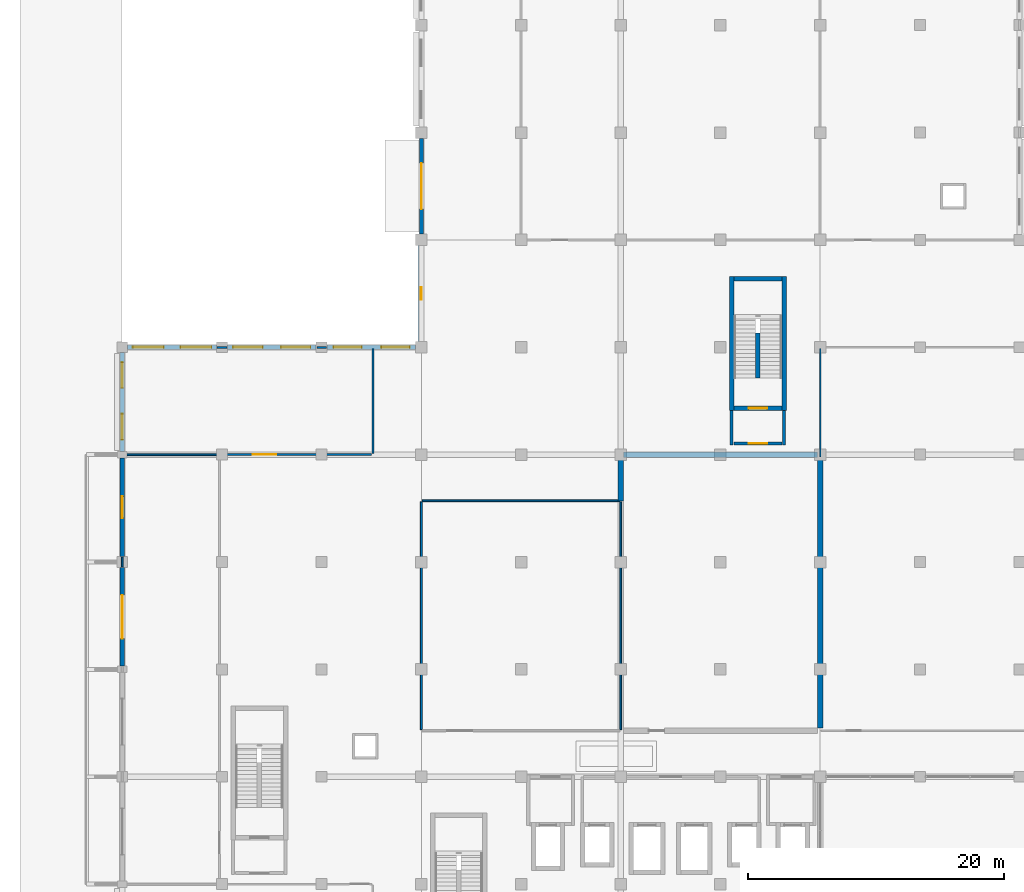
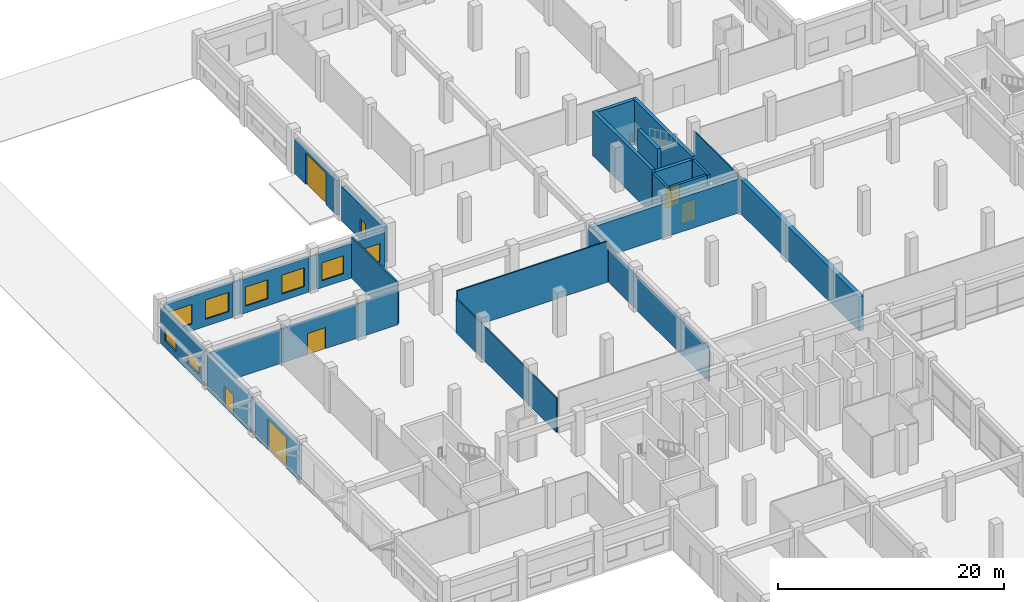
# One storey, part 52 of 74: 29 walls, 9 windows, 6 doors, 15 openings.
"""IFC4 building model written with IfcOpenShell, lengths in metres."""

from ifc_helpers import new_model, si_unit, direction, frame, frame_2d, origin, place, context, subcontext, project, spatial, rectangle, extrude, material, layer, layer_set, type_object, element, fill, save


model = new_model("IFC4")

# Units and contexts
model_context = context("Model", 3, precision=1e-05, world=origin(), true_north=direction((0.0, 1.0)))
body_context = subcontext(model_context, "Body", "Model", "MODEL_VIEW")
ifc_project = project(units=[si_unit("LENGTHUNIT", "METRE"), si_unit("AREAUNIT", "SQUARE_METRE"), si_unit("VOLUMEUNIT", "CUBIC_METRE"), si_unit("PLANEANGLEUNIT", "RADIAN"), si_unit("MASSUNIT", "GRAM", prefix="KILO"), si_unit("THERMODYNAMICTEMPERATUREUNIT", "KELVIN"), si_unit("POWERUNIT", "WATT")], contexts=[model_context])

# Site, building, storey
site_placement = place(None, origin())
site = spatial("IfcSite", under=ifc_project, at=site_placement, CompositionType="ELEMENT")
building_placement = place(site_placement, origin())
building = spatial("IfcBuilding", under=site, at=building_placement, Name="Srebrne Nadtorze General Hospital", CompositionType="ELEMENT")
storey_placement = place(building_placement, origin())
storey = spatial("IfcBuildingStorey", under=building, at=storey_placement, Name="L00", CompositionType="ELEMENT", Elevation=0.0)

# Wall, opening, window
ifc_material_1 = material(Name="Concrete C40/50", Category="concrete")
ifc_layer_1 = layer(ifc_material_1, 0.419921875)
ifc_layer_set_1 = layer_set([ifc_layer_1], Name="Concrete C40/50")
wall_type_1 = type_object("IfcWallType", Name="Acoustic buffer wall 420", PredefinedType="SOLIDWALL", material=ifc_layer_set_1)
wall_1_placement = place(storey_placement, frame((23.39990234375, 84.449951171875, 0.0), z_axis=(0.0, 0.0, 1.0), x_axis=(0.0, 1.0, 0.0)))
wall_1 = element("IfcWall", 1, at=wall_1_placement, inside=storey, type_object=wall_type_1, Name="Exterior wall WL-ENV-L00-0129", PredefinedType="SOLIDWALL", context=body_context, shape_type="SweptSolid", body=[
    extrude(rectangle(XDim=7.5, YDim=0.419921875, at=frame_2d((3.75, 0.0))), origin(), (0.0, 0.0, 1.0), 3.75),
])
opening_1_placement = place(wall_1_placement, frame((3.25, 0.0, 0.75)))
opening_1 = element("IfcOpeningElement", 2, at=opening_1_placement, cuts=wall_1, Name="Opening WN-L00-0081", PredefinedType="OPENING", context=body_context, shape_type="SweptSolid", body=[
    extrude(rectangle(XDim=1.0, YDim=1.449951171875, at=frame_2d((0.5, 0.72509765625))), frame((0.0, 0.221923828125, 0.0), z_axis=(0.0, -1.0, 0.0), x_axis=(1.0, 0.0, 0.0)), (0.0, 0.0, 1.0), 0.44384765625),
])
ifc_material_2 = material(Name="Triple Low-E Glazing", Category="glass")
window_type_1 = type_object("IfcWindowType", Name="Punched clinical window 1000x1450", PartitioningType="SINGLE_PANEL", PredefinedType="WINDOW", material=ifc_material_2)
window_1_placement = place(opening_1_placement, origin())
window_1 = element("IfcWindow", 3, at=window_1_placement, inside=storey, type_object=window_type_1, Name="Clinical window WN-L00-0081", OverallHeight=1.449951171875, OverallWidth=1.0, PartitioningType="SINGLE_PANEL", PredefinedType="WINDOW", context=body_context, shape_type="SweptSolid", body=[
    extrude(rectangle(XDim=1.0, YDim=1.449951171875, at=frame_2d((0.5, 0.72509765625))), frame((0.0, 0.030029296875, 0.0), z_axis=(0.0, -1.0, 0.0), x_axis=(1.0, 0.0, 0.0)), (0.0, 0.0, 1.0), 0.06005859375),
])
fill(opening_1, window_1)

# Walls
ifc_material_3 = material(Name="Gypsum Healthcare Partition")
ifc_layer_2 = layer(ifc_material_3, 0.139892578125)
ifc_layer_set_2 = layer_set([ifc_layer_2], Name="Gypsum Healthcare Partition")
wall_type_2 = type_object("IfcWallType", Name="Clinical partition 140", PredefinedType="PARTITIONING", material=ifc_layer_set_2)
wall_2_placement = place(storey_placement, frame((0.0849609375, 75.60009765625, 0.0), z_axis=(0.0, 0.0, 1.0), x_axis=(1.0, 0.0, 0.0)))
element("IfcWall", 4, at=wall_2_placement, inside=storey, type_object=wall_type_2, Name="Ambulance Bay wall WL-INT-L00-1301", PredefinedType="PARTITIONING", context=body_context, shape_type="SweptSolid", body=[
    extrude(rectangle(XDim=7.429931640625, YDim=0.139892578125, at=frame_2d((3.71484375, 0.0))), origin(), (0.0, 0.0, 1.0), 3.699951171875),
])
wall_3_placement = place(storey_placement, frame((0.0, 66.81494140625, 0.0), z_axis=(0.0, 0.0, 1.0), x_axis=(0.0, 1.0, 0.0)))
element("IfcWall", 5, at=wall_3_placement, inside=storey, type_object=wall_type_2, Name="Ambulance Bay wall WL-INT-L00-1304", PredefinedType="PARTITIONING", context=body_context, shape_type="SweptSolid", body=[
    extrude(rectangle(XDim=0.77001953125, YDim=0.139892578125, at=frame_2d((0.385009765625, 0.0))), origin(), (0.0, 0.0, 1.0), 3.699951171875),
])
wall_4_placement = place(storey_placement, frame((23.485107421875, 72.0, 0.0), z_axis=(0.0, 0.0, 1.0), x_axis=(1.0, 0.0, 0.0)))
element("IfcWall", 6, at=wall_4_placement, inside=storey, type_object=wall_type_2, Name="Emergency Department Observation wall WL-INT-L00-1314", PredefinedType="PARTITIONING", context=body_context, shape_type="SweptSolid", body=[
    extrude(rectangle(XDim=15.429931640625, YDim=0.139892578125, at=frame_2d((7.71484375, 0.0))), origin(), (0.0, 0.0, 1.0), 4.429931640625),
])
for number, where, z_axis, x_axis, name in (
    (7, (23.39990234375, 54.0849609375, 0.0), (0.0, 0.0, 1.0), (0.0, 1.0, 0.0), "Emergency Department Observation wall WL-INT-L00-1315"),
    (8, (39.0, 54.0849609375, 0.0), (0.0, 0.0, 1.0), (0.0, 1.0, 0.0), "Emergency Department Observation wall WL-INT-L00-1316"),
):
    element("IfcWall", number, at=place(storey_placement, frame(where, z_axis=z_axis, x_axis=x_axis)), inside=storey, type_object=wall_type_2, Name=name, PredefinedType="PARTITIONING", context=body_context, shape_type="SweptSolid", body=[
        extrude(rectangle(XDim=17.830078125, YDim=0.139892578125, at=frame_2d((8.9150390625, 0.0))), origin(), (0.0, 0.0, 1.0), 3.699951171875),
    ])

# Wall, opening, door
ifc_material_4 = material(Name="Gypsum Healthcare Partition")
ifc_layer_3 = layer(ifc_material_4, 0.159912109375)
ifc_layer_set_3 = layer_set([ifc_layer_3], Name="Gypsum Healthcare Partition")
wall_type_3 = type_object("IfcWallType", Name="Clinical partition 160", PredefinedType="PARTITIONING", material=ifc_layer_set_3)
wall_5_placement = place(storey_placement, frame((7.554931640625, 75.60009765625, 0.0), z_axis=(0.0, 0.0, 1.0), x_axis=(1.0, 0.0, 0.0)))
wall_5 = element("IfcWall", 9, at=wall_5_placement, inside=storey, type_object=wall_type_3, Name="Emergency Department Resuscitation wall WL-INT-L00-1309", PredefinedType="PARTITIONING", context=body_context, shape_type="SweptSolid", body=[
    extrude(rectangle(XDim=11.9599609375, YDim=0.159912109375, at=frame_2d((5.97998046875, 0.0))), origin(), (0.0, 0.0, 1.0), 3.699951171875),
])
opening_2_placement = place(wall_5_placement, frame((2.652587890625, 0.0, 0.0)))
opening_2 = element("IfcOpeningElement", 10, at=opening_2_placement, cuts=wall_5, Name="Opening D-L00-0193", PredefinedType="OPENING", context=body_context, shape_type="SweptSolid", body=[
    extrude(rectangle(XDim=1.85009765625, YDim=2.300048828125, at=frame_2d((0.925048828125, 1.14990234375))), frame((0.0, 0.091796875, 0.0), z_axis=(0.0, -1.0, 0.0), x_axis=(1.0, 0.0, 0.0)), (0.0, 0.0, 1.0), 0.183837890625),
])
ifc_material_5 = material(Name="Anodised Aluminium", Category="aluminium")
door_type_1 = type_object("IfcDoorType", Name="Double leaf door 1850x2300", OperationType="DOUBLE_DOOR_SINGLE_SWING", PredefinedType="DOOR", material=ifc_material_5)
door_1_placement = place(opening_2_placement, origin())
door_1 = element("IfcDoor", 11, at=door_1_placement, inside=storey, type_object=door_type_1, Name="Emergency Department Resuscitation door D-L00-0193", OperationType="DOUBLE_DOOR_SINGLE_SWING", OverallHeight=2.300048828125, OverallWidth=1.85009765625, PredefinedType="DOOR", context=body_context, shape_type="SweptSolid", body=[
    extrude(rectangle(XDim=1.85009765625, YDim=2.300048828125, at=frame_2d((0.925048828125, 1.14990234375))), frame((0.0, 0.02490234375, 0.0), z_axis=(0.0, -1.0, 0.0), x_axis=(1.0, 0.0, 0.0)), (0.0, 0.0, 1.0), 0.050048828125),
])
fill(opening_2, door_1)

# Walls
for number, where, z_axis, x_axis, name in (
    (12, (7.4150390625, 84.0, 0.0), (0.0, 0.0, 1.0), (1.0, 0.0, 0.0), "Emergency Department Resuscitation wall WL-INT-L00-1310"),
    (13, (15.215087890625, 84.0, 0.0), (0.0, 0.0, 1.0), (1.0, 0.0, 0.0), "Emergency Department Resuscitation wall WL-INT-L00-1311"),
):
    element("IfcWall", number, at=place(storey_placement, frame(where, z_axis=z_axis, x_axis=x_axis)), inside=storey, type_object=wall_type_3, Name=name, PredefinedType="PARTITIONING", context=body_context, shape_type="SweptSolid", body=[
        extrude(rectangle(XDim=0.77001953125, YDim=0.159912109375, at=frame_2d((0.385009765625, 0.0))), origin(), (0.0, 0.0, 1.0), 3.699951171875),
    ])
wall_6_placement = place(storey_placement, frame((19.60009765625, 75.68505859375, 0.0), z_axis=(0.0, 0.0, 1.0), x_axis=(0.0, 1.0, 0.0)))
element("IfcWall", 14, at=wall_6_placement, inside=storey, type_object=wall_type_3, Name="Emergency Department Resuscitation wall WL-INT-L00-1312", PredefinedType="PARTITIONING", context=body_context, shape_type="SweptSolid", body=[
    extrude(rectangle(XDim=8.22998046875, YDim=0.159912109375, at=frame_2d((4.114990234375, 0.0))), origin(), (0.0, 0.0, 1.0), 4.429931640625),
])
ifc_material_6 = material(Name="Gypsum Healthcare Partition")
ifc_layer_4 = layer(ifc_material_6, 0.239990234375)
ifc_layer_set_4 = layer_set([ifc_layer_4], Name="Gypsum Healthcare Partition")
wall_type_4 = type_object("IfcWallType", Name="Corridor fire wall 240", PredefinedType="STANDARD", material=ifc_layer_set_4)
for number, where, z_axis, x_axis, name in (
    (15, (47.675048828125, 76.35498046875, 0.0), (0.0, 0.0, 1.0), (0.0, 1.0, 0.0), "Fire lobby wall ST-02 WL-INT-L00-0077"),
    (16, (51.77490234375, 76.35498046875, 0.0), (0.0, 0.0, 1.0), (0.0, 1.0, 0.0), "Fire lobby wall ST-02 WL-INT-L00-0078"),
):
    element("IfcWall", number, at=place(storey_placement, frame(where, z_axis=z_axis, x_axis=x_axis)), inside=storey, type_object=wall_type_4, Name=name, PredefinedType="STANDARD", context=body_context, shape_type="SweptSolid", body=[
        extrude(rectangle(XDim=2.695068359375, YDim=0.239990234375, at=frame_2d((1.34765625, 0.0))), origin(), (0.0, 0.0, 1.0), 4.449951171875),
    ])

# Wall, opening, door
wall_7_placement = place(storey_placement, frame((47.85009765625, 76.47509765625, 0.0), z_axis=(0.0, 0.0, 1.0), x_axis=(1.0, 0.0, 0.0)))
wall_7 = element("IfcWall", 17, at=wall_7_placement, inside=storey, type_object=wall_type_4, Name="Fire lobby entry wall ST-02 WL-INT-L00-0079", PredefinedType="STANDARD", context=body_context, shape_type="SweptSolid", body=[
    extrude(rectangle(XDim=3.75, YDim=0.239990234375, at=frame_2d((1.875, 0.0))), origin(), (0.0, 0.0, 1.0), 4.449951171875),
])
opening_3_placement = place(wall_7_placement, frame((1.14990234375, 0.0, 0.0)))
opening_3 = element("IfcOpeningElement", 18, at=opening_3_placement, cuts=wall_7, Name="Opening D-L00-0020", PredefinedType="OPENING", context=body_context, shape_type="SweptSolid", body=[
    extrude(rectangle(XDim=1.449951171875, YDim=2.199951171875, at=frame_2d((0.72509765625, 1.10009765625))), frame((0.0, 0.1318359375, 0.0), z_axis=(0.0, -1.0, 0.0), x_axis=(1.0, 0.0, 0.0)), (0.0, 0.0, 1.0), 0.263916015625),
])
ifc_material_7 = material(Name="Anodised Aluminium", Category="aluminium")
door_type_2 = type_object("IfcDoorType", Name="Double leaf door 1450x2200", OperationType="DOUBLE_DOOR_SINGLE_SWING", PredefinedType="DOOR", material=ifc_material_7)
door_2_placement = place(opening_3_placement, frame((1.449951171875, 0.0, 0.0), z_axis=(0.0, 0.0, 1.0), x_axis=(-1.0, 0.0, 0.0)))
door_2 = element("IfcDoor", 19, at=door_2_placement, inside=storey, type_object=door_type_2, Name="Fire lobby door ST-02 D-L00-0020", OperationType="DOUBLE_DOOR_SINGLE_SWING", OverallHeight=2.199951171875, OverallWidth=1.449951171875, PredefinedType="DOOR", context=body_context, shape_type="SweptSolid", body=[
    extrude(rectangle(XDim=1.449951171875, YDim=2.199951171875, at=frame_2d((0.72509765625, 1.10009765625))), frame((0.0, 0.02490234375, 0.0), z_axis=(0.0, -1.0, 0.0), x_axis=(1.0, 0.0, 0.0)), (0.0, 0.0, 1.0), 0.050048828125),
])
fill(opening_3, door_2)

# Walls
ifc_material_8 = material(Name="Concrete C35/45", Category="concrete")
ifc_layer_5 = layer(ifc_material_8, 0.449951171875)
ifc_layer_set_5 = layer_set([ifc_layer_5], Name="Concrete C35/45")
wall_type_5 = type_object("IfcWallType", Name="Radiation shield wall 450", PredefinedType="STANDARD", material=ifc_layer_set_5)
wall_8_placement = place(storey_placement, frame((39.215087890625, 75.60009765625, 0.0), z_axis=(0.0, 0.0, 1.0), x_axis=(1.0, 0.0, 0.0)))
element("IfcWall", 20, at=wall_8_placement, inside=storey, type_object=wall_type_5, Name="Emergency Department Trauma CT wall WL-INT-L00-1318", PredefinedType="STANDARD", context=body_context, shape_type="SweptSolid", body=[
    extrude(rectangle(XDim=15.169921875, YDim=0.449951171875, at=frame_2d((7.5849609375, 0.0))), origin(), (0.0, 0.0, 1.0), 3.699951171875),
])
wall_9_placement = place(storey_placement, frame((39.0, 71.955078125, 0.0), z_axis=(0.0, 0.0, 1.0), x_axis=(0.0, 1.0, 0.0)))
element("IfcWall", 21, at=wall_9_placement, inside=storey, type_object=wall_type_5, Name="Emergency Department Trauma CT wall WL-INT-L00-1319", PredefinedType="STANDARD", context=body_context, shape_type="SweptSolid", body=[
    extrude(rectangle(XDim=3.429931640625, YDim=0.449951171875, at=frame_2d((1.71484375, 0.0))), origin(), (0.0, 0.0, 1.0), 3.699951171875),
])
wall_10_placement = place(storey_placement, frame((54.60009765625, 54.215087890625, 0.0), z_axis=(0.0, 0.0, 1.0), x_axis=(0.0, 1.0, 0.0)))
element("IfcWall", 22, at=wall_10_placement, inside=storey, type_object=wall_type_5, Name="Emergency Department Trauma CT wall WL-INT-L00-1320", PredefinedType="STANDARD", context=body_context, shape_type="SweptSolid", body=[
    extrude(rectangle(XDim=21.169921875, YDim=0.449951171875, at=frame_2d((10.5849609375, 0.0))), origin(), (0.0, 0.0, 1.0), 3.699951171875),
])
ifc_material_9 = material(Name="Gypsum Healthcare Partition")
ifc_layer_6 = layer(ifc_material_9, 0.10009765625)
ifc_layer_set_6 = layer_set([ifc_layer_6], Name="Gypsum Healthcare Partition")
wall_type_6 = type_object("IfcWallType", Name="Shaft lining wall 100", PredefinedType="PARTITIONING", material=ifc_layer_set_6)
wall_11_placement = place(storey_placement, frame((54.60009765625, 75.425048828125, 0.0), z_axis=(0.0, 0.0, 1.0), x_axis=(0.0, 1.0, 0.0)))
element("IfcWall", 23, at=wall_11_placement, inside=storey, type_object=wall_type_6, Name="Diagnostic Phlebotomy and Specimen Unit wall WL-INT-L00-1332", PredefinedType="PARTITIONING", context=body_context, shape_type="SweptSolid", body=[
    extrude(rectangle(XDim=8.489990234375, YDim=0.10009765625, at=frame_2d((4.2451171875, 0.0))), origin(), (0.0, 0.0, 1.0), 3.699951171875),
])
ifc_material_10 = material(Name="Concrete C40/50", Category="concrete")
ifc_layer_7 = layer(ifc_material_10, 0.35009765625)
ifc_layer_set_7 = layer_set([ifc_layer_7], Name="Concrete C40/50")
wall_type_7 = type_object("IfcWallType", Name="Shear core wall 350", PredefinedType="SHEAR", material=ifc_layer_set_7)
for number, where, z_axis, x_axis, name in (
    (24, (47.675048828125, 79.050048828125, 0.0), (0.0, 0.0, 1.0), (0.0, 1.0, 0.0), "Stair core wall ST-02 WL-INT-L00-0073"),
    (25, (51.77490234375, 79.050048828125, 0.0), (0.0, 0.0, 1.0), (0.0, 1.0, 0.0), "Stair core wall ST-02 WL-INT-L00-0074"),
):
    element("IfcWall", number, at=place(storey_placement, frame(where, z_axis=z_axis, x_axis=x_axis)), inside=storey, type_object=wall_type_7, Name=name, PredefinedType="SHEAR", context=body_context, shape_type="SweptSolid", body=[
        extrude(rectangle(XDim=10.5, YDim=0.35009765625, at=frame_2d((5.25, 0.0))), origin(), (0.0, 0.0, 1.0), 4.800048828125),
    ])
wall_12_placement = place(storey_placement, frame((47.85009765625, 89.375, 0.0), z_axis=(0.0, 0.0, 1.0), x_axis=(1.0, 0.0, 0.0)))
element("IfcWall", 26, at=wall_12_placement, inside=storey, type_object=wall_type_7, Name="Stair core wall ST-02 WL-INT-L00-0075", PredefinedType="SHEAR", context=body_context, shape_type="SweptSolid", body=[
    extrude(rectangle(XDim=3.75, YDim=0.35009765625, at=frame_2d((1.875, 0.0))), origin(), (0.0, 0.0, 1.0), 4.800048828125),
])

# Wall, opening, door
wall_13_placement = place(storey_placement, frame((47.85009765625, 79.22509765625, 0.0), z_axis=(0.0, 0.0, 1.0), x_axis=(1.0, 0.0, 0.0)))
wall_13 = element("IfcWall", 27, at=wall_13_placement, inside=storey, type_object=wall_type_7, Name="Stairwell fire wall ST-02 WL-INT-L00-0076", PredefinedType="SHEAR", context=body_context, shape_type="SweptSolid", body=[
    extrude(rectangle(XDim=3.75, YDim=0.35009765625, at=frame_2d((1.875, 0.0))), origin(), (0.0, 0.0, 1.0), 4.449951171875),
])
opening_4_placement = place(wall_13_placement, frame((1.14990234375, 0.0, 0.0)))
opening_4 = element("IfcOpeningElement", 28, at=opening_4_placement, cuts=wall_13, Name="Opening D-L00-0019", PredefinedType="OPENING", context=body_context, shape_type="SweptSolid", body=[
    extrude(rectangle(XDim=1.449951171875, YDim=2.199951171875, at=frame_2d((0.72509765625, 1.10009765625))), frame((0.0, 0.18701171875, 0.0), z_axis=(0.0, -1.0, 0.0), x_axis=(1.0, 0.0, 0.0)), (0.0, 0.0, 1.0), 0.3740234375),
])
door_3_placement = place(opening_4_placement, frame((1.449951171875, 0.0, 0.0), z_axis=(0.0, 0.0, 1.0), x_axis=(-1.0, 0.0, 0.0)))
door_3 = element("IfcDoor", 29, at=door_3_placement, inside=storey, type_object=door_type_2, Name="Protected stair door ST-02 D-L00-0019", OperationType="DOUBLE_DOOR_SINGLE_SWING", OverallHeight=2.199951171875, OverallWidth=1.449951171875, PredefinedType="DOOR", context=body_context, shape_type="SweptSolid", body=[
    extrude(rectangle(XDim=1.449951171875, YDim=2.199951171875, at=frame_2d((0.72509765625, 1.10009765625))), frame((0.0, 0.02490234375, 0.0), z_axis=(0.0, -1.0, 0.0), x_axis=(1.0, 0.0, 0.0)), (0.0, 0.0, 1.0), 0.050048828125),
])
fill(opening_4, door_3)

# Wall
wall_14_placement = place(storey_placement, frame((49.72509765625, 81.60009765625, 0.0), z_axis=(0.0, 0.0, 1.0), x_axis=(0.0, 1.0, 0.0)))
element("IfcWall", 30, at=wall_14_placement, inside=storey, type_object=wall_type_7, Name="Stair spine wall ST-02 WL-INT-L00-0080", PredefinedType="SHEAR", context=body_context, shape_type="SweptSolid", body=[
    extrude(rectangle(XDim=3.52001953125, YDim=0.35009765625, at=frame_2d((1.760009765625, 0.0))), origin(), (0.0, 0.0, 1.0), 4.800048828125),
])

# Wall, openings, windows
ifc_material_11 = material(Name="Concrete C35/45", Category="concrete")
ifc_layer_8 = layer(ifc_material_11, 0.320068359375)
ifc_layer_set_8 = layer_set([ifc_layer_8], Name="Concrete C35/45")
wall_type_8 = type_object("IfcWallType", Name="Spandrel wall 320", PredefinedType="STANDARD", material=ifc_layer_set_8)
wall_15_placement = place(storey_placement, frame((0.425048828125, 84.0, 0.0), z_axis=(0.0, 0.0, 1.0), x_axis=(1.0, 0.0, 0.0)))
wall_15 = element("IfcWall", 31, at=wall_15_placement, inside=storey, type_object=wall_type_8, Name="Exterior wall WL-ENV-L00-0100", PredefinedType="STANDARD", context=body_context, shape_type="SweptSolid", body=[
    extrude(rectangle(XDim=6.949951171875, YDim=0.320068359375, at=frame_2d((3.47509765625, 0.0))), origin(), (0.0, 0.0, 1.0), 3.75),
])
opening_5_placement = place(wall_15_placement, frame((0.403076171875, 0.0, 0.75)))
opening_5 = element("IfcOpeningElement", 32, at=opening_5_placement, cuts=wall_15, Name="Opening WN-L00-0047", PredefinedType="OPENING", context=body_context, shape_type="SweptSolid", body=[
    extrude(rectangle(XDim=2.39990234375, YDim=2.10009765625, at=frame_2d((1.199951171875, 1.050048828125))), frame((0.0, 0.171875, 0.0), z_axis=(0.0, -1.0, 0.0), x_axis=(1.0, 0.0, 0.0)), (0.0, 0.0, 1.0), 0.343994140625),
])
opening_6_placement = place(wall_15_placement, frame((4.14697265625, 0.0, 0.75)))
opening_6 = element("IfcOpeningElement", 33, at=opening_6_placement, cuts=wall_15, Name="Opening WN-L00-0048", PredefinedType="OPENING", context=body_context, shape_type="SweptSolid", body=[
    extrude(rectangle(XDim=2.39990234375, YDim=2.10009765625, at=frame_2d((1.199951171875, 1.050048828125))), frame((0.0, 0.171875, 0.0), z_axis=(0.0, -1.0, 0.0), x_axis=(1.0, 0.0, 0.0)), (0.0, 0.0, 1.0), 0.343994140625),
])
ifc_material_12 = material(Name="Triple Low-E Glazing", Category="glass")
window_type_2 = type_object("IfcWindowType", Name="Punched clinical window 2400x2100", PartitioningType="DOUBLE_PANEL_VERTICAL", PredefinedType="WINDOW", material=ifc_material_12)
window_2_placement = place(opening_5_placement, origin())
window_2 = element("IfcWindow", 34, at=window_2_placement, inside=storey, type_object=window_type_2, Name="Clinical window WN-L00-0047", OverallHeight=2.10009765625, OverallWidth=2.39990234375, PartitioningType="DOUBLE_PANEL_VERTICAL", PredefinedType="WINDOW", context=body_context, shape_type="SweptSolid", body=[
    extrude(rectangle(XDim=2.39990234375, YDim=2.10009765625, at=frame_2d((1.199951171875, 1.050048828125))), frame((0.0, 0.030029296875, 0.0), z_axis=(0.0, -1.0, 0.0), x_axis=(1.0, 0.0, 0.0)), (0.0, 0.0, 1.0), 0.06005859375),
])
fill(opening_5, window_2)
window_3_placement = place(opening_6_placement, origin())
window_3 = element("IfcWindow", 35, at=window_3_placement, inside=storey, type_object=window_type_2, Name="Clinical window WN-L00-0048", OverallHeight=2.10009765625, OverallWidth=2.39990234375, PartitioningType="DOUBLE_PANEL_VERTICAL", PredefinedType="WINDOW", context=body_context, shape_type="SweptSolid", body=[
    extrude(rectangle(XDim=2.39990234375, YDim=2.10009765625, at=frame_2d((1.199951171875, 1.050048828125))), frame((0.0, 0.030029296875, 0.0), z_axis=(0.0, -1.0, 0.0), x_axis=(1.0, 0.0, 0.0)), (0.0, 0.0, 1.0), 0.06005859375),
])
fill(opening_6, window_3)

wall_16_placement = place(storey_placement, frame((8.22509765625, 84.0, 0.0), z_axis=(0.0, 0.0, 1.0), x_axis=(1.0, 0.0, 0.0)))
wall_16 = element("IfcWall", 36, at=wall_16_placement, inside=storey, type_object=wall_type_8, Name="Exterior wall WL-ENV-L00-0101", PredefinedType="STANDARD", context=body_context, shape_type="SweptSolid", body=[
    extrude(rectangle(XDim=6.949951171875, YDim=0.320068359375, at=frame_2d((3.47509765625, 0.0))), origin(), (0.0, 0.0, 1.0), 3.75),
])
opening_7_placement = place(wall_16_placement, frame((0.452880859375, 0.0, 0.75)))
opening_7 = element("IfcOpeningElement", 37, at=opening_7_placement, cuts=wall_16, Name="Opening WN-L00-0049", PredefinedType="OPENING", context=body_context, shape_type="SweptSolid", body=[
    extrude(rectangle(XDim=2.300048828125, YDim=2.050048828125, at=frame_2d((1.14990234375, 1.02490234375))), frame((0.0, 0.171875, 0.0), z_axis=(0.0, -1.0, 0.0), x_axis=(1.0, 0.0, 0.0)), (0.0, 0.0, 1.0), 0.343994140625),
])
opening_8_placement = place(wall_16_placement, frame((4.197021484375, 0.0, 0.75)))
opening_8 = element("IfcOpeningElement", 38, at=opening_8_placement, cuts=wall_16, Name="Opening WN-L00-0050", PredefinedType="OPENING", context=body_context, shape_type="SweptSolid", body=[
    extrude(rectangle(XDim=2.300048828125, YDim=2.050048828125, at=frame_2d((1.14990234375, 1.02490234375))), frame((0.0, 0.171875, 0.0), z_axis=(0.0, -1.0, 0.0), x_axis=(1.0, 0.0, 0.0)), (0.0, 0.0, 1.0), 0.343994140625),
])
ifc_material_13 = material(Name="Triple Low-E Glazing", Category="glass")
window_type_3 = type_object("IfcWindowType", Name="Punched clinical window 2300x2050", PartitioningType="DOUBLE_PANEL_VERTICAL", PredefinedType="WINDOW", material=ifc_material_13)
window_4_placement = place(opening_7_placement, origin())
window_4 = element("IfcWindow", 39, at=window_4_placement, inside=storey, type_object=window_type_3, Name="Clinical window WN-L00-0049", OverallHeight=2.050048828125, OverallWidth=2.300048828125, PartitioningType="DOUBLE_PANEL_VERTICAL", PredefinedType="WINDOW", context=body_context, shape_type="SweptSolid", body=[
    extrude(rectangle(XDim=2.300048828125, YDim=2.050048828125, at=frame_2d((1.14990234375, 1.02490234375))), frame((0.0, 0.030029296875, 0.0), z_axis=(0.0, -1.0, 0.0), x_axis=(1.0, 0.0, 0.0)), (0.0, 0.0, 1.0), 0.06005859375),
])
fill(opening_7, window_4)
window_5_placement = place(opening_8_placement, origin())
window_5 = element("IfcWindow", 40, at=window_5_placement, inside=storey, type_object=window_type_3, Name="Clinical window WN-L00-0050", OverallHeight=2.050048828125, OverallWidth=2.300048828125, PartitioningType="DOUBLE_PANEL_VERTICAL", PredefinedType="WINDOW", context=body_context, shape_type="SweptSolid", body=[
    extrude(rectangle(XDim=2.300048828125, YDim=2.050048828125, at=frame_2d((1.14990234375, 1.02490234375))), frame((0.0, 0.030029296875, 0.0), z_axis=(0.0, -1.0, 0.0), x_axis=(1.0, 0.0, 0.0)), (0.0, 0.0, 1.0), 0.06005859375),
])
fill(opening_8, window_5)

wall_17_placement = place(storey_placement, frame((16.02490234375, 84.0, 0.0), z_axis=(0.0, 0.0, 1.0), x_axis=(1.0, 0.0, 0.0)))
wall_17 = element("IfcWall", 41, at=wall_17_placement, inside=storey, type_object=wall_type_8, Name="Exterior wall WL-ENV-L00-0102", PredefinedType="STANDARD", context=body_context, shape_type="SweptSolid", body=[
    extrude(rectangle(XDim=6.925048828125, YDim=0.320068359375, at=frame_2d((3.46240234375, 0.0))), origin(), (0.0, 0.0, 1.0), 3.75),
])
opening_9_placement = place(wall_17_placement, frame((0.5029296875, 0.0, 0.75)))
opening_9 = element("IfcOpeningElement", 42, at=opening_9_placement, cuts=wall_17, Name="Opening WN-L00-0051", PredefinedType="OPENING", context=body_context, shape_type="SweptSolid", body=[
    extrude(rectangle(XDim=2.199951171875, YDim=1.949951171875, at=frame_2d((1.10009765625, 0.97509765625))), frame((0.0, 0.171875, 0.0), z_axis=(0.0, -1.0, 0.0), x_axis=(1.0, 0.0, 0.0)), (0.0, 0.0, 1.0), 0.343994140625),
])
opening_10_placement = place(wall_17_placement, frame((4.2470703125, 0.0, 0.75)))
opening_10 = element("IfcOpeningElement", 43, at=opening_10_placement, cuts=wall_17, Name="Opening WN-L00-0052", PredefinedType="OPENING", context=body_context, shape_type="SweptSolid", body=[
    extrude(rectangle(XDim=2.199951171875, YDim=1.949951171875, at=frame_2d((1.10009765625, 0.97509765625))), frame((0.0, 0.171875, 0.0), z_axis=(0.0, -1.0, 0.0), x_axis=(1.0, 0.0, 0.0)), (0.0, 0.0, 1.0), 0.343994140625),
])
ifc_material_14 = material(Name="Triple Low-E Glazing", Category="glass")
window_type_4 = type_object("IfcWindowType", Name="Punched clinical window 2200x1950", PartitioningType="DOUBLE_PANEL_VERTICAL", PredefinedType="WINDOW", material=ifc_material_14)
window_6_placement = place(opening_9_placement, origin())
window_6 = element("IfcWindow", 44, at=window_6_placement, inside=storey, type_object=window_type_4, Name="Clinical window WN-L00-0051", OverallHeight=1.949951171875, OverallWidth=2.199951171875, PartitioningType="DOUBLE_PANEL_VERTICAL", PredefinedType="WINDOW", context=body_context, shape_type="SweptSolid", body=[
    extrude(rectangle(XDim=2.199951171875, YDim=1.949951171875, at=frame_2d((1.10009765625, 0.97509765625))), frame((0.0, 0.030029296875, 0.0), z_axis=(0.0, -1.0, 0.0), x_axis=(1.0, 0.0, 0.0)), (0.0, 0.0, 1.0), 0.06005859375),
])
fill(opening_9, window_6)
window_7_placement = place(opening_10_placement, origin())
window_7 = element("IfcWindow", 45, at=window_7_placement, inside=storey, type_object=window_type_4, Name="Clinical window WN-L00-0052", OverallHeight=1.949951171875, OverallWidth=2.199951171875, PartitioningType="DOUBLE_PANEL_VERTICAL", PredefinedType="WINDOW", context=body_context, shape_type="SweptSolid", body=[
    extrude(rectangle(XDim=2.199951171875, YDim=1.949951171875, at=frame_2d((1.10009765625, 0.97509765625))), frame((0.0, 0.030029296875, 0.0), z_axis=(0.0, -1.0, 0.0), x_axis=(1.0, 0.0, 0.0)), (0.0, 0.0, 1.0), 0.06005859375),
])
fill(opening_10, window_7)

# Wall, opening, door
wall_18_placement = place(storey_placement, frame((0.0, 59.050048828125, 0.0), z_axis=(0.0, 0.0, 1.0), x_axis=(0.0, 1.0, 0.0)))
wall_18 = element("IfcWall", 46, at=wall_18_placement, inside=storey, type_object=wall_type_8, Name="Exterior wall WL-ENV-L00-0122", PredefinedType="STANDARD", context=body_context, shape_type="SweptSolid", body=[
    extrude(rectangle(XDim=7.724853515625, YDim=0.320068359375, at=frame_2d((3.8623046875, 0.0))), origin(), (0.0, 0.0, 1.0), 3.75),
])
opening_11_placement = place(wall_18_placement, frame((2.16259765625, 0.0, 0.0)))
opening_11 = element("IfcOpeningElement", 47, at=opening_11_placement, cuts=wall_18, Name="Opening D-L00-E011", PredefinedType="OPENING", context=body_context, shape_type="SweptSolid", body=[
    extrude(rectangle(XDim=3.39990234375, YDim=3.300048828125, at=frame_2d((1.699951171875, 1.64990234375))), frame((0.0, 0.171875, 0.0), z_axis=(0.0, -1.0, 0.0), x_axis=(1.0, 0.0, 0.0)), (0.0, 0.0, 1.0), 0.343994140625),
])
ifc_material_15 = material(Name="Anodised Aluminium", Category="aluminium")
door_type_3 = type_object("IfcDoorType", Name="Emergency exit gate 3400x3300", OperationType="DOUBLE_DOOR_SINGLE_SWING", PredefinedType="GATE", material=ifc_material_15)
door_4_placement = place(opening_11_placement, origin())
door_4 = element("IfcDoor", 48, at=door_4_placement, inside=storey, type_object=door_type_3, Name="Exterior door D-L00-E011", OperationType="DOUBLE_DOOR_SINGLE_SWING", OverallHeight=3.300048828125, OverallWidth=3.39990234375, PredefinedType="GATE", context=body_context, shape_type="SweptSolid", body=[
    extrude(rectangle(XDim=3.39990234375, YDim=3.300048828125, at=frame_2d((1.699951171875, 1.64990234375))), frame((0.0, 0.02490234375, 0.0), z_axis=(0.0, -1.0, 0.0), x_axis=(1.0, 0.0, 0.0)), (0.0, 0.0, 1.0), 0.050048828125),
])
fill(opening_11, door_4)

wall_19_placement = place(storey_placement, frame((0.0, 67.625, 0.0), z_axis=(0.0, 0.0, 1.0), x_axis=(0.0, 1.0, 0.0)))
wall_19 = element("IfcWall", 49, at=wall_19_placement, inside=storey, type_object=wall_type_8, Name="Exterior wall WL-ENV-L00-0123", PredefinedType="STANDARD", context=body_context, shape_type="SweptSolid", body=[
    extrude(rectangle(XDim=7.72509765625, YDim=0.320068359375, at=frame_2d((3.862548828125, 0.0))), origin(), (0.0, 0.0, 1.0), 3.75),
])
opening_12_placement = place(wall_19_placement, frame((3.012451171875, 0.0, 0.0)))
opening_12 = element("IfcOpeningElement", 50, at=opening_12_placement, cuts=wall_19, Name="Opening D-L00-E012", PredefinedType="OPENING", context=body_context, shape_type="SweptSolid", body=[
    extrude(rectangle(XDim=1.699951171875, YDim=2.199951171875, at=frame_2d((0.85009765625, 1.10009765625))), frame((0.0, 0.171875, 0.0), z_axis=(0.0, -1.0, 0.0), x_axis=(1.0, 0.0, 0.0)), (0.0, 0.0, 1.0), 0.343994140625),
])
ifc_material_16 = material(Name="Anodised Aluminium", Category="aluminium")
door_type_4 = type_object("IfcDoorType", Name="Double leaf door 1700x2200", OperationType="DOUBLE_DOOR_SINGLE_SWING", PredefinedType="DOOR", material=ifc_material_16)
door_5_placement = place(opening_12_placement, origin())
door_5 = element("IfcDoor", 51, at=door_5_placement, inside=storey, type_object=door_type_4, Name="Exterior door D-L00-E012", OperationType="DOUBLE_DOOR_SINGLE_SWING", OverallHeight=2.199951171875, OverallWidth=1.699951171875, PredefinedType="DOOR", context=body_context, shape_type="SweptSolid", body=[
    extrude(rectangle(XDim=1.699951171875, YDim=2.199951171875, at=frame_2d((0.85009765625, 1.10009765625))), frame((0.0, 0.02490234375, 0.0), z_axis=(0.0, -1.0, 0.0), x_axis=(1.0, 0.0, 0.0)), (0.0, 0.0, 1.0), 0.050048828125),
])
fill(opening_12, door_5)

# Wall, openings, windows
wall_20_placement = place(storey_placement, frame((0.0, 75.85009765625, 0.0), z_axis=(0.0, 0.0, 1.0), x_axis=(0.0, 1.0, 0.0)))
wall_20 = element("IfcWall", 52, at=wall_20_placement, inside=storey, type_object=wall_type_8, Name="Exterior wall WL-ENV-L00-0124", PredefinedType="STANDARD", context=body_context, shape_type="SweptSolid", body=[
    extrude(rectangle(XDim=7.724853515625, YDim=0.320068359375, at=frame_2d((3.8623046875, 0.0))), origin(), (0.0, 0.0, 1.0), 3.75),
])
opening_13_placement = place(wall_20_placement, frame((0.93408203125, 0.0, 0.75)))
opening_13 = element("IfcOpeningElement", 53, at=opening_13_placement, cuts=wall_20, Name="Opening WN-L00-0075", PredefinedType="OPENING", context=body_context, shape_type="SweptSolid", body=[
    extrude(rectangle(XDim=2.0, YDim=1.449951171875, at=frame_2d((1.0, 0.72509765625))), frame((0.0, 0.171875, 0.0), z_axis=(0.0, -1.0, 0.0), x_axis=(1.0, 0.0, 0.0)), (0.0, 0.0, 1.0), 0.343994140625),
])
opening_14_placement = place(wall_20_placement, frame((4.966064453125, 0.0, 0.75)))
opening_14 = element("IfcOpeningElement", 54, at=opening_14_placement, cuts=wall_20, Name="Opening WN-L00-0076", PredefinedType="OPENING", context=body_context, shape_type="SweptSolid", body=[
    extrude(rectangle(XDim=2.0, YDim=1.449951171875, at=frame_2d((1.0, 0.72509765625))), frame((0.0, 0.171875, 0.0), z_axis=(0.0, -1.0, 0.0), x_axis=(1.0, 0.0, 0.0)), (0.0, 0.0, 1.0), 0.343994140625),
])
ifc_material_17 = material(Name="Triple Low-E Glazing", Category="glass")
window_type_5 = type_object("IfcWindowType", Name="Punched clinical window 2000x1450", PartitioningType="DOUBLE_PANEL_VERTICAL", PredefinedType="WINDOW", material=ifc_material_17)
window_8_placement = place(opening_13_placement, origin())
window_8 = element("IfcWindow", 55, at=window_8_placement, inside=storey, type_object=window_type_5, Name="Clinical window WN-L00-0075", OverallHeight=1.449951171875, OverallWidth=2.0, PartitioningType="DOUBLE_PANEL_VERTICAL", PredefinedType="WINDOW", context=body_context, shape_type="SweptSolid", body=[
    extrude(rectangle(XDim=2.0, YDim=1.449951171875, at=frame_2d((1.0, 0.72509765625))), frame((0.0, 0.030029296875, 0.0), z_axis=(0.0, -1.0, 0.0), x_axis=(1.0, 0.0, 0.0)), (0.0, 0.0, 1.0), 0.06005859375),
])
fill(opening_13, window_8)
window_9_placement = place(opening_14_placement, origin())
window_9 = element("IfcWindow", 56, at=window_9_placement, inside=storey, type_object=window_type_5, Name="Clinical window WN-L00-0076", OverallHeight=1.449951171875, OverallWidth=2.0, PartitioningType="DOUBLE_PANEL_VERTICAL", PredefinedType="WINDOW", context=body_context, shape_type="SweptSolid", body=[
    extrude(rectangle(XDim=2.0, YDim=1.449951171875, at=frame_2d((1.0, 0.72509765625))), frame((0.0, 0.030029296875, 0.0), z_axis=(0.0, -1.0, 0.0), x_axis=(1.0, 0.0, 0.0)), (0.0, 0.0, 1.0), 0.06005859375),
])
fill(opening_14, window_9)

# Wall, opening, door
wall_21_placement = place(storey_placement, frame((23.39990234375, 92.85009765625, 0.0), z_axis=(0.0, 0.0, 1.0), x_axis=(0.0, 1.0, 0.0)))
wall_21 = element("IfcWall", 57, at=wall_21_placement, inside=storey, type_object=wall_type_8, Name="Exterior wall WL-ENV-L00-0130", PredefinedType="STANDARD", context=body_context, shape_type="SweptSolid", body=[
    extrude(rectangle(XDim=7.5, YDim=0.320068359375, at=frame_2d((3.75, 0.0))), origin(), (0.0, 0.0, 1.0), 3.75),
])
opening_15_placement = place(wall_21_placement, frame((1.949951171875, 0.0, 0.0)))
opening_15 = element("IfcOpeningElement", 58, at=opening_15_placement, cuts=wall_21, Name="Opening D-L00-E015", PredefinedType="OPENING", context=body_context, shape_type="SweptSolid", body=[
    extrude(rectangle(XDim=3.60009765625, YDim=3.39990234375, at=frame_2d((1.800048828125, 1.699951171875))), frame((0.0, 0.171875, 0.0), z_axis=(0.0, -1.0, 0.0), x_axis=(1.0, 0.0, 0.0)), (0.0, 0.0, 1.0), 0.343994140625),
])
ifc_material_18 = material(Name="Anodised Aluminium", Category="aluminium")
door_type_5 = type_object("IfcDoorType", Name="Emergency exit gate 3600x3400", OperationType="DOUBLE_DOOR_SINGLE_SWING", PredefinedType="GATE", material=ifc_material_18)
door_6_placement = place(opening_15_placement, origin())
door_6 = element("IfcDoor", 59, at=door_6_placement, inside=storey, type_object=door_type_5, Name="Exterior door D-L00-E015", OperationType="DOUBLE_DOOR_SINGLE_SWING", OverallHeight=3.39990234375, OverallWidth=3.60009765625, PredefinedType="GATE", context=body_context, shape_type="SweptSolid", body=[
    extrude(rectangle(XDim=3.60009765625, YDim=3.39990234375, at=frame_2d((1.800048828125, 1.699951171875))), frame((0.0, 0.02490234375, 0.0), z_axis=(0.0, -1.0, 0.0), x_axis=(1.0, 0.0, 0.0)), (0.0, 0.0, 1.0), 0.050048828125),
])
fill(opening_15, door_6)

save(model, "model.ifc")
